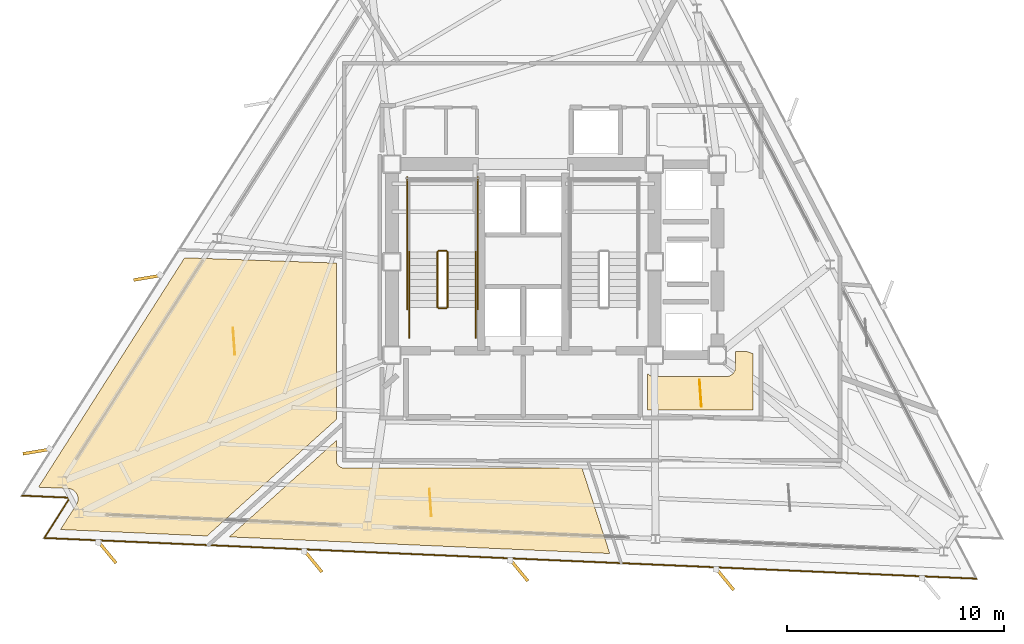
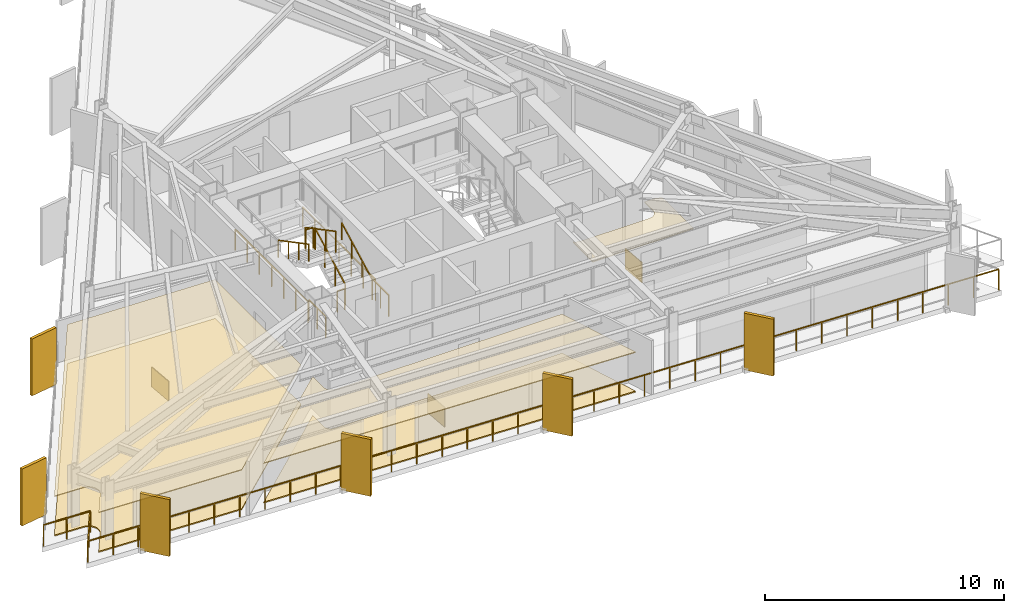
# One storey, part 10 of 12: 11 railings, 8 coverings, 6 shading devices.
"""IFC4 building model written with IfcOpenShell, lengths in metres."""

from ifc_helpers import new_model, si_unit, direction, frame, origin, origin_2d, place, context, subcontext, project, spatial, polyline, rectangle, outline, extrude, material, layer, layer_set, type_object, element, save


model = new_model("IFC4")

# Units and contexts
model_context = context("Model", 3, precision=1e-05, world=origin(), true_north=direction((0.0, 1.0)))
body_context = subcontext(model_context, "Body", "Model", "MODEL_VIEW")
ifc_project = project(units=[si_unit("LENGTHUNIT", "METRE"), si_unit("AREAUNIT", "SQUARE_METRE"), si_unit("VOLUMEUNIT", "CUBIC_METRE"), si_unit("PLANEANGLEUNIT", "RADIAN"), si_unit("MASSUNIT", "GRAM", prefix="KILO")], contexts=[model_context])

# Site, building, storey
site_placement = place(None, origin())
site = spatial("IfcSite", under=ifc_project, at=site_placement, CompositionType="ELEMENT")
building_placement = place(site_placement, origin())
building = spatial("IfcBuilding", under=site, at=building_placement, Name="Rocaltana Carrier Exchange", CompositionType="ELEMENT")
storey_placement = place(building_placement, frame((0.0, 0.0, 135.0400390625)))
storey = spatial("IfcBuildingStorey", under=building, at=storey_placement, Name="L42", CompositionType="ELEMENT", Elevation=135.0400390625)

# Coverings
ifc_material_1 = material(Name="Calcium Sulphate & Aluminium Pedestal", Category="aluminium")
ifc_layer_1 = layer(ifc_material_1, 0.06005859375)
ifc_layer_set_1 = layer_set([ifc_layer_1], Name="Calcium Sulphate & Aluminium Pedestal")
covering_type_1 = type_object("IfcCoveringType", Name="Anti-Static Raised Exchange Access Floor 60", PredefinedType="FLOORING", material=ifc_layer_set_1)
covering_1_placement = place(storey_placement, origin())
element("IfcCovering", 1, at=covering_1_placement, inside=storey, type_object=covering_type_1, Name="L42 Network Engineering Studio Finish Floor", PredefinedType="FLOORING", context=body_context, shape_type="SweptSolid", body=[
    extrude(outline(polyline([(-20.592041015625, -11.18798828125), (-20.584716796875, -11.176025390625), (-20.574951171875, -11.15869140625), (-20.562255859375, -11.1337890625), (-20.55419921875, -11.11572265625), (-20.544189453125, -11.089599609375), (-20.5380859375, -11.07080078125), (-20.530517578125, -11.043701171875), (-20.5263671875, -11.0244140625), (-20.521484375, -10.996826171875), (-20.519287109375, -10.97705078125), (-20.517333984375, -10.94921875), (-20.516845703125, -10.92919921875), (-20.517822265625, -10.9013671875), (-20.519287109375, -10.88134765625), (-20.523193359375, -10.853759765625), (-20.526611328125, -10.833984375), (-20.532958984375, -10.806884765625), (-20.53857421875, -10.787841796875), (-20.547607421875, -10.761474609375), (-20.554931640625, -10.742919921875), (-20.566650390625, -10.717529296875), (-20.575927734375, -10.69970703125), (-20.590087890625, -10.67578125), (-20.600830078125, -10.6591796875), (-20.6171875, -10.636474609375), (-20.6298828125, -10.62109375), (-20.6484375, -10.60009765625), (-20.66259765625, -10.5859375), (-20.68310546875, -10.567138671875), (-20.698486328125, -10.554443359375), (-20.720703125, -10.53759765625), (-20.7373046875, -10.526611328125), (-20.76123046875, -10.51220703125), (-20.77880859375, -10.502685546875), (-20.803955078125, -10.49072265625), (-20.822509765625, -10.483154296875), (-20.8486328125, -10.473876953125), (-20.867919921875, -10.468017578125), (-20.89501953125, -10.461181640625), (-20.91455078125, -10.45751953125), (-20.942138671875, -10.45361328125), (-20.9619140625, -10.45166015625), (-20.975830078125, -10.45068359375), (-22.34326171875, -10.39111328125), (-15.605712890625, 0.184814453125), (-8.610107421875, -0.0595703125), (-8.610107421875, -7.26806640625), (-14.5732421875, -12.63720703125), (-21.327392578125, -12.34228515625), (-20.592041015625, -11.18798828125)])), origin(), (0.0, 0.0, 1.0), 0.06005859375),
])
covering_2_placement = place(storey_placement, origin())
element("IfcCovering", 2, at=covering_2_placement, inside=storey, type_object=covering_type_1, Name="L42 Photonic Integration Workshop Finish Floor", PredefinedType="FLOORING", context=body_context, shape_type="SweptSolid", body=[
    extrude(outline(polyline([(-13.546875, -12.68212890625), (-8.610107421875, -8.23681640625), (-8.610107421875, -9.14990234375), (-8.609619140625, -9.163818359375), (-8.609375, -9.171630859375), (-8.606689453125, -9.198974609375), (-8.60546875, -9.206787109375), (-8.60009765625, -9.233642578125), (-8.59814453125, -9.2412109375), (-8.590087890625, -9.267578125), (-8.58740234375, -9.27490234375), (-8.576904296875, -9.30029296875), (-8.57373046875, -9.307373046875), (-8.560791015625, -9.331787109375), (-8.556640625, -9.33837890625), (-8.54150390625, -9.361083984375), (-8.53662109375, -9.367431640625), (-8.519287109375, -9.388916015625), (-8.513916015625, -9.39453125), (-8.49462890625, -9.4140625), (-8.48876953125, -9.419189453125), (-8.467529296875, -9.436767578125), (-8.461181640625, -9.44140625), (-8.4384765625, -9.456787109375), (-8.431640625, -9.460693359375), (-8.407470703125, -9.4736328125), (-8.400390625, -9.47705078125), (-8.375, -9.487548828125), (-8.36767578125, -9.490234375), (-8.34130859375, -9.498291015625), (-8.33349609375, -9.5), (-8.306640625, -9.50537109375), (-8.298828125, -9.506591796875), (-8.271484375, -9.50927734375), (-8.263671875, -9.509765625), (-8.25, -9.510009765625), (2.71142578125, -9.510009765625), (3.990966796875, -13.44775390625), (-13.546875, -12.68212890625)])), origin(), (0.0, 0.0, 1.0), 0.06005859375),
])
ifc_material_2 = material(Name="Mineral Fibre & Powder-Coated Aluminium", Category="aluminium")
ifc_layer_2 = layer(ifc_material_2, 0.044921875)
ifc_layer_set_2 = layer_set([ifc_layer_2], Name="Mineral Fibre & Powder-Coated Aluminium")
covering_type_2 = type_object("IfcCoveringType", Name="Micro-Perforated Acoustic Ceiling 45", PredefinedType="CEILING", material=ifc_layer_set_2)
covering_3_placement = place(storey_placement, frame((0.0, 0.0, 2.012939453125)))
element("IfcCovering", 3, at=covering_3_placement, inside=storey, type_object=covering_type_2, Name="L42 Network Engineering Studio Acoustic Ceiling", PredefinedType="CEILING", context=body_context, shape_type="SweptSolid", body=[
    extrude(outline(polyline([(-20.592041015625, -11.18798828125), (-20.584716796875, -11.176025390625), (-20.574951171875, -11.15869140625), (-20.562255859375, -11.1337890625), (-20.55419921875, -11.11572265625), (-20.544189453125, -11.089599609375), (-20.5380859375, -11.07080078125), (-20.530517578125, -11.043701171875), (-20.5263671875, -11.0244140625), (-20.521484375, -10.996826171875), (-20.519287109375, -10.97705078125), (-20.517333984375, -10.94921875), (-20.516845703125, -10.92919921875), (-20.517822265625, -10.9013671875), (-20.519287109375, -10.88134765625), (-20.523193359375, -10.853759765625), (-20.526611328125, -10.833984375), (-20.532958984375, -10.806884765625), (-20.53857421875, -10.787841796875), (-20.547607421875, -10.761474609375), (-20.554931640625, -10.742919921875), (-20.566650390625, -10.717529296875), (-20.575927734375, -10.69970703125), (-20.590087890625, -10.67578125), (-20.600830078125, -10.6591796875), (-20.6171875, -10.636474609375), (-20.6298828125, -10.62109375), (-20.6484375, -10.60009765625), (-20.66259765625, -10.5859375), (-20.68310546875, -10.567138671875), (-20.698486328125, -10.554443359375), (-20.720703125, -10.53759765625), (-20.7373046875, -10.526611328125), (-20.76123046875, -10.51220703125), (-20.77880859375, -10.502685546875), (-20.803955078125, -10.49072265625), (-20.822509765625, -10.483154296875), (-20.8486328125, -10.473876953125), (-20.867919921875, -10.468017578125), (-20.89501953125, -10.461181640625), (-20.91455078125, -10.45751953125), (-20.942138671875, -10.45361328125), (-20.9619140625, -10.45166015625), (-20.975830078125, -10.45068359375), (-22.34326171875, -10.39111328125), (-15.605712890625, 0.184814453125), (-8.610107421875, -0.0595703125), (-8.610107421875, -7.26806640625), (-14.5732421875, -12.63720703125), (-21.327392578125, -12.34228515625), (-20.592041015625, -11.18798828125)])), origin(), (0.0, 0.0, 1.0), 0.044921875),
])
covering_4_placement = place(storey_placement, frame((0.0, 0.0, 2.012939453125)))
element("IfcCovering", 4, at=covering_4_placement, inside=storey, type_object=covering_type_2, Name="L42 Photonic Integration Workshop Acoustic Ceiling", PredefinedType="CEILING", context=body_context, shape_type="SweptSolid", body=[
    extrude(outline(polyline([(-13.546875, -12.68212890625), (-8.610107421875, -8.23681640625), (-8.610107421875, -9.14990234375), (-8.609619140625, -9.163818359375), (-8.609375, -9.171630859375), (-8.606689453125, -9.198974609375), (-8.60546875, -9.206787109375), (-8.60009765625, -9.233642578125), (-8.59814453125, -9.2412109375), (-8.590087890625, -9.267578125), (-8.58740234375, -9.27490234375), (-8.576904296875, -9.30029296875), (-8.57373046875, -9.307373046875), (-8.560791015625, -9.331787109375), (-8.556640625, -9.33837890625), (-8.54150390625, -9.361083984375), (-8.53662109375, -9.367431640625), (-8.519287109375, -9.388916015625), (-8.513916015625, -9.39453125), (-8.49462890625, -9.4140625), (-8.48876953125, -9.419189453125), (-8.467529296875, -9.436767578125), (-8.461181640625, -9.44140625), (-8.4384765625, -9.456787109375), (-8.431640625, -9.460693359375), (-8.407470703125, -9.4736328125), (-8.400390625, -9.47705078125), (-8.375, -9.487548828125), (-8.36767578125, -9.490234375), (-8.34130859375, -9.498291015625), (-8.33349609375, -9.5), (-8.306640625, -9.50537109375), (-8.298828125, -9.506591796875), (-8.271484375, -9.50927734375), (-8.263671875, -9.509765625), (-8.25, -9.510009765625), (2.71142578125, -9.510009765625), (3.990966796875, -13.44775390625), (-13.546875, -12.68212890625)])), origin(), (0.0, 0.0, 1.0), 0.044921875),
])
covering_5_placement = place(storey_placement, frame((0.0, 0.0, 2.012939453125)))
element("IfcCovering", 5, at=covering_5_placement, inside=storey, type_object=covering_type_2, Name="L42 Peering Conference Room Acoustic Ceiling", PredefinedType="CEILING", context=body_context, shape_type="SweptSolid", body=[
    extrude(outline(polyline([(5.739990234375, -6.840087890625), (5.739990234375, -5.161865234375), (5.748779296875, -5.170654296875), (5.760498046875, -5.18115234375), (5.78173828125, -5.198486328125), (5.794189453125, -5.2080078125), (5.817138671875, -5.22314453125), (5.83056640625, -5.231201171875), (5.85498046875, -5.244140625), (5.869140625, -5.2509765625), (5.894287109375, -5.261474609375), (5.9091796875, -5.2666015625), (5.935546875, -5.274658203125), (5.95068359375, -5.278564453125), (5.977783203125, -5.283935546875), (5.9931640625, -5.2861328125), (6.0205078125, -5.288818359375), (6.036376953125, -5.289794921875), (6.050048828125, -5.2900390625), (9.35009765625, -5.2900390625), (9.36376953125, -5.289794921875), (9.37939453125, -5.288818359375), (9.40673828125, -5.2861328125), (9.42236328125, -5.283935546875), (9.44921875, -5.278564453125), (9.464599609375, -5.274658203125), (9.49072265625, -5.2666015625), (9.505615234375, -5.261474609375), (9.531005859375, -5.2509765625), (9.545166015625, -5.244140625), (9.5693359375, -5.231201171875), (9.582763671875, -5.22314453125), (9.605712890625, -5.2080078125), (9.618408203125, -5.198486328125), (9.639404296875, -5.18115234375), (9.651123046875, -5.170654296875), (9.670654296875, -5.151123046875), (9.68115234375, -5.139404296875), (9.698486328125, -5.118408203125), (9.7080078125, -5.105712890625), (9.72314453125, -5.082763671875), (9.731201171875, -5.0693359375), (9.744140625, -5.045166015625), (9.7509765625, -5.031005859375), (9.761474609375, -5.005615234375), (9.7666015625, -4.99072265625), (9.774658203125, -4.964599609375), (9.778564453125, -4.94921875), (9.783935546875, -4.92236328125), (9.7861328125, -4.90673828125), (9.788818359375, -4.87939453125), (9.789794921875, -4.86376953125), (9.7900390625, -4.85009765625), (9.7900390625, -4.139892578125), (10.322021484375, -4.139892578125), (10.60009765625, -4.2412109375), (10.60009765625, -6.840087890625), (5.739990234375, -6.840087890625)])), origin(), (0.0, 0.0, 1.0), 0.044921875),
])

# Railings
ifc_material_3 = material(Name="Brushed Architectural Stainless Tube", Category="steel")
ifc_layer_3 = layer(ifc_material_3, 0.048095703125)
ifc_layer_set_3 = layer_set([ifc_layer_3], Name="Brushed Architectural Stainless Tube")
railing_type_1 = type_object("IfcRailingType", Name="Stair Wall Handrail 920", PredefinedType="HANDRAIL", material=ifc_layer_set_3)
railing_1_placement = place(storey_placement, frame((-2.18994140625, -2.10009765625, 0.1689453125)))
element("IfcRailing", 6, at=railing_1_placement, inside=storey, type_object=railing_type_1, Name="L42 ST-1 stair handrail 1", PredefinedType="HANDRAIL", context=body_context, shape_type="SweptSolid", body=[
    extrude(rectangle(XDim=0.048095703125, YDim=0.048095703125, at=origin_2d()), frame((0.0, 0.0, 0.8759765625), z_axis=(0.0, 0.884394423565, 0.466740295633), x_axis=(-1.0, 0.0, 0.0)), (0.0, 0.0, 1.0), 2.894775390625),
    extrude(rectangle(XDim=0.0419921875, YDim=0.0419921875, at=origin_2d()), origin(), (0.0, 0.0, 1.0), 0.851806640625),
    extrude(rectangle(XDim=0.0419921875, YDim=0.0419921875, at=origin_2d()), frame((0.0, 0.853271484375, 0.450439453125)), (0.0, 0.0, 1.0), 0.851806640625),
    extrude(rectangle(XDim=0.0419921875, YDim=0.0419921875, at=origin_2d()), frame((0.0, 1.706787109375, 0.900634765625)), (0.0, 0.0, 1.0), 0.851806640625),
    extrude(rectangle(XDim=0.0419921875, YDim=0.0419921875, at=origin_2d()), frame((0.0, 2.56005859375, 1.35107421875)), (0.0, 0.0, 1.0), 0.851806640625),
])
railing_2_placement = place(storey_placement, frame((-5.25, 0.4599609375, 1.68896484375)))
element("IfcRailing", 7, at=railing_2_placement, inside=storey, type_object=railing_type_1, Name="L42 ST-1 stair handrail 2", PredefinedType="HANDRAIL", context=body_context, shape_type="SweptSolid", body=[
    extrude(rectangle(XDim=0.048095703125, YDim=0.048095703125, at=origin_2d()), frame((0.0, 0.0, 0.8759765625), z_axis=(0.0, -0.884394423565, 0.466740295633), x_axis=(1.0, 0.0, 0.0)), (0.0, 0.0, 1.0), 2.894775390625),
    extrude(rectangle(XDim=0.0419921875, YDim=0.0419921875, at=origin_2d()), origin(), (0.0, 0.0, 1.0), 0.851806640625),
    extrude(rectangle(XDim=0.0419921875, YDim=0.0419921875, at=origin_2d()), frame((0.0, -0.853271484375, 0.450439453125)), (0.0, 0.0, 1.0), 0.851806640625),
    extrude(rectangle(XDim=0.0419921875, YDim=0.0419921875, at=origin_2d()), frame((0.0, -1.706787109375, 0.900634765625)), (0.0, 0.0, 1.0), 0.851806640625),
    extrude(rectangle(XDim=0.0419921875, YDim=0.0419921875, at=origin_2d()), frame((0.0, -2.56005859375, 1.35107421875)), (0.0, 0.0, 1.0), 0.851806640625),
])
ifc_material_4 = material(Name="Powder-Coated Aluminium 6063-T6", Category="aluminium")
ifc_layer_4 = layer(ifc_material_4, 0.048095703125)
ifc_layer_set_4 = layer_set([ifc_layer_4], Name="Powder-Coated Aluminium 6063-T6")
railing_type_2 = type_object("IfcRailingType", Name="Stair Well Guardrail 1100", PredefinedType="GUARDRAIL", material=ifc_layer_set_4)
railing_3_placement = place(storey_placement, frame((-3.489990234375, -2.10009765625, 0.1689453125)))
element("IfcRailing", 8, at=railing_3_placement, inside=storey, type_object=railing_type_2, Name="L42 ST-1 stair guard 1", PredefinedType="GUARDRAIL", context=body_context, shape_type="SweptSolid", body=[
    extrude(rectangle(XDim=0.048095703125, YDim=0.048095703125, at=origin_2d()), frame((0.0, 0.0, 1.076171875), z_axis=(0.0, 0.884394423565, 0.466740295633), x_axis=(-1.0, 0.0, 0.0)), (0.0, 0.0, 1.0), 2.894775390625),
    extrude(rectangle(XDim=0.0419921875, YDim=0.0419921875, at=origin_2d()), origin(), (0.0, 0.0, 1.0), 1.052001953125),
    extrude(rectangle(XDim=0.0419921875, YDim=0.0419921875, at=origin_2d()), frame((0.0, 0.853271484375, 0.450439453125)), (0.0, 0.0, 1.0), 1.052001953125),
    extrude(rectangle(XDim=0.0419921875, YDim=0.0419921875, at=origin_2d()), frame((0.0, 1.706787109375, 0.900634765625)), (0.0, 0.0, 1.0), 1.052001953125),
    extrude(rectangle(XDim=0.0419921875, YDim=0.0419921875, at=origin_2d()), frame((0.0, 2.56005859375, 1.35107421875)), (0.0, 0.0, 1.0), 1.052001953125),
])
railing_4_placement = place(storey_placement, frame((-3.5400390625, 0.510009765625, 1.52001953125)))
element("IfcRailing", 9, at=railing_4_placement, inside=storey, type_object=railing_type_2, Name="L42 ST-1 stair guard 2", PredefinedType="GUARDRAIL", context=body_context, shape_type="SweptSolid", body=[
    extrude(rectangle(XDim=0.048095703125, YDim=0.048095703125, at=origin_2d()), frame((0.0, 0.0, 1.076171875), z_axis=(-1.0, 0.0, 0.0), x_axis=(0.0, -1.0, 0.0)), (0.0, 0.0, 1.0), 0.35986328125),
    extrude(rectangle(XDim=0.0419921875, YDim=0.0419921875, at=origin_2d()), origin(), (0.0, 0.0, 1.0), 1.052001953125),
    extrude(rectangle(XDim=0.0419921875, YDim=0.0419921875, at=origin_2d()), frame((-0.35986328125, 0.0, 0.0)), (0.0, 0.0, 1.0), 1.052001953125),
])
railing_5_placement = place(storey_placement, frame((-3.949951171875, 0.4599609375, 1.68896484375)))
element("IfcRailing", 10, at=railing_5_placement, inside=storey, type_object=railing_type_2, Name="L42 ST-1 stair guard 6", PredefinedType="GUARDRAIL", context=body_context, shape_type="SweptSolid", body=[
    extrude(rectangle(XDim=0.048095703125, YDim=0.048095703125, at=origin_2d()), frame((0.0, 0.0, 1.076171875), z_axis=(0.0, -0.884394423565, 0.466740295633), x_axis=(1.0, 0.0, 0.0)), (0.0, 0.0, 1.0), 2.894775390625),
    extrude(rectangle(XDim=0.0419921875, YDim=0.0419921875, at=origin_2d()), origin(), (0.0, 0.0, 1.0), 1.052001953125),
    extrude(rectangle(XDim=0.0419921875, YDim=0.0419921875, at=origin_2d()), frame((0.0, -0.853271484375, 0.450439453125)), (0.0, 0.0, 1.0), 1.052001953125),
    extrude(rectangle(XDim=0.0419921875, YDim=0.0419921875, at=origin_2d()), frame((0.0, -1.706787109375, 0.900634765625)), (0.0, 0.0, 1.0), 1.052001953125),
    extrude(rectangle(XDim=0.0419921875, YDim=0.0419921875, at=origin_2d()), frame((0.0, -2.56005859375, 1.35107421875)), (0.0, 0.0, 1.0), 1.052001953125),
])
railing_6_placement = place(storey_placement, frame((-3.5400390625, -2.14990234375, 0.0)))
element("IfcRailing", 11, at=railing_6_placement, inside=storey, type_object=railing_type_2, Name="L42 ST-1 stair guard 7", PredefinedType="GUARDRAIL", context=body_context, shape_type="SweptSolid", body=[
    extrude(rectangle(XDim=0.048095703125, YDim=0.048095703125, at=origin_2d()), frame((0.0, 0.0, 1.076171875), z_axis=(-1.0, 0.0, 0.0), x_axis=(0.0, -1.0, 0.0)), (0.0, 0.0, 1.0), 0.35986328125),
    extrude(rectangle(XDim=0.0419921875, YDim=0.0419921875, at=origin_2d()), origin(), (0.0, 0.0, 1.0), 1.052001953125),
    extrude(rectangle(XDim=0.0419921875, YDim=0.0419921875, at=origin_2d()), frame((-0.35986328125, 0.0, 0.0)), (0.0, 0.0, 1.0), 1.052001953125),
])
for number, where, name in (
    (12, (-2.18994140625, -3.5, 0.0), "L42 ST-1 stair guard 8"),
    (13, (-5.25, -3.5, 0.0), "L42 ST-1 stair guard 9"),
):
    element("IfcRailing", number, at=place(storey_placement, frame(where)), inside=storey, type_object=railing_type_2, Name=name, PredefinedType="GUARDRAIL", context=body_context, shape_type="SweptSolid", body=[
        extrude(rectangle(XDim=0.048095703125, YDim=0.048095703125, at=origin_2d()), frame((0.0, 0.0, 1.076171875), z_axis=(0.0, 1.0, 0.0), x_axis=(-1.0, 0.0, 0.0)), (0.0, 0.0, 1.0), 1.39990234375),
        extrude(rectangle(XDim=0.0419921875, YDim=0.0419921875, at=origin_2d()), origin(), (0.0, 0.0, 1.0), 1.052001953125),
        extrude(rectangle(XDim=0.0419921875, YDim=0.0419921875, at=origin_2d()), frame((0.0, 0.699951171875, 0.0)), (0.0, 0.0, 1.0), 1.052001953125),
        extrude(rectangle(XDim=0.0419921875, YDim=0.0419921875, at=origin_2d()), frame((0.0, 1.39990234375, 0.0)), (0.0, 0.0, 1.0), 1.052001953125),
    ])
for number, where, name in (
    (14, (-2.090087890625, -2.199951171875, 0.0), "L42 ST-1 stair guard 10"),
    (15, (-5.35009765625, -2.199951171875, 0.0), "L42 ST-1 stair guard 11"),
):
    element("IfcRailing", number, at=place(storey_placement, frame(where)), inside=storey, type_object=railing_type_2, Name=name, PredefinedType="GUARDRAIL", context=body_context, shape_type="SweptSolid", body=[
        extrude(rectangle(XDim=0.048095703125, YDim=0.048095703125, at=origin_2d()), frame((0.0, 0.0, 1.076171875), z_axis=(0.0, 1.0, 0.0), x_axis=(-1.0, 0.0, 0.0)), (0.0, 0.0, 1.0), 6.099853515625),
        extrude(rectangle(XDim=0.0419921875, YDim=0.0419921875, at=origin_2d()), origin(), (0.0, 0.0, 1.0), 1.052001953125),
        extrude(rectangle(XDim=0.0419921875, YDim=0.0419921875, at=origin_2d()), frame((0.0, 1.0166015625, 0.0)), (0.0, 0.0, 1.0), 1.052001953125),
        extrude(rectangle(XDim=0.0419921875, YDim=0.0419921875, at=origin_2d()), frame((0.0, 2.033203125, 0.0)), (0.0, 0.0, 1.0), 1.052001953125),
        extrude(rectangle(XDim=0.0419921875, YDim=0.0419921875, at=origin_2d()), frame((0.0, 3.0498046875, 0.0)), (0.0, 0.0, 1.0), 1.052001953125),
        extrude(rectangle(XDim=0.0419921875, YDim=0.0419921875, at=origin_2d()), frame((0.0, 4.066650390625, 0.0)), (0.0, 0.0, 1.0), 1.052001953125),
        extrude(rectangle(XDim=0.0419921875, YDim=0.0419921875, at=origin_2d()), frame((0.0, 5.083251953125, 0.0)), (0.0, 0.0, 1.0), 1.052001953125),
        extrude(rectangle(XDim=0.0419921875, YDim=0.0419921875, at=origin_2d()), frame((0.0, 6.099853515625, 0.0)), (0.0, 0.0, 1.0), 1.052001953125),
    ])

# Coverings
ifc_material_5 = material(Name="Honed Piedra Muneca Sandstone", Category="masonry")
ifc_layer_5 = layer(ifc_material_5, 0.034912109375)
ifc_layer_set_5 = layer_set([ifc_layer_5], Name="Honed Piedra Muneca Sandstone")
covering_type_3 = type_object("IfcCoveringType", Name="Stone Facade Cladding 35", PredefinedType="CLADDING", material=ifc_layer_set_5)
for number, where, z_axis, x_axis, name in (
    (16, (-13.333740234375, -3.663818359375, 0.0), (0.0, 0.0, 1.0), (-0.069756473744, 0.99756405026, 0.0), "L42 Stone Facade Cladding Panel 1"),
    (17, (-4.279296875, -11.09619140625, 0.0), (0.0, 0.0, 1.0), (-0.069756473744, 0.99756405026, 0.0), "L42 Stone Facade Cladding Panel 2"),
    (18, (8.169921875, -6.06494140625, 0.0), (0.0, 0.0, 1.0), (-0.069756473744, 0.99756405026, 0.0), "L42 Stone Facade Cladding Panel 4"),
):
    element("IfcCovering", number, at=place(storey_placement, frame(where, z_axis=z_axis, x_axis=x_axis)), inside=storey, type_object=covering_type_3, Name=name, PredefinedType="CLADDING", context=body_context, shape_type="SweptSolid", body=[
        extrude(rectangle(XDim=1.25, YDim=0.034912109375, at=origin_2d()), origin(), (0.0, 0.0, 1.0), 1.050048828125),
    ])

# Shading devices
ifc_material_6 = material(Name="Honed Bogota Sandstone & Concrete C45/55", Category="masonry")
ifc_layer_6 = layer(ifc_material_6, 0.139892578125)
ifc_layer_set_6 = layer_set([ifc_layer_6], Name="Honed Bogota Sandstone & Concrete C45/55")
shading_device_type = type_object("IfcShadingDeviceType", Name="Vertical Sandstone Shading Fin 1320x140", PredefinedType="USERDEFINED", material=ifc_layer_set_6)
for number, where, z_axis, x_axis, name in (
    (19, (-17.3046875, -0.7314453125, -0.1201171875), (0.0, 0.0, 1.0), (-0.986285601537, -0.165047605861, 0.0), "L42 Sandstone Vertical Fin F2-04"),
    (20, (-22.4091796875, -8.743896484375, -0.1201171875), (0.0, 0.0, 1.0), (-0.986285601537, -0.165047605861, 0.0), "L42 Sandstone Vertical Fin F2-05"),
    (21, (-19.18701171875, -13.37744140625, -0.1201171875), (0.0, 0.0, 1.0), (0.636078220278, -0.771624583388, 0.0), "L42 Sandstone Vertical Fin F3-01"),
    (22, (-9.696044921875, -13.7919921875, -0.1201171875), (0.0, 0.0, 1.0), (0.636078220278, -0.771624583388, 0.0), "L42 Sandstone Vertical Fin F3-02"),
    (23, (-0.205078125, -14.206298828125, -0.1201171875), (0.0, 0.0, 1.0), (0.636078220278, -0.771624583388, 0.0), "L42 Sandstone Vertical Fin F3-03"),
    (24, (9.285888671875, -14.62060546875, -0.1201171875), (0.0, 0.0, 1.0), (0.636078220278, -0.771624583388, 0.0), "L42 Sandstone Vertical Fin F3-04"),
):
    element("IfcShadingDevice", number, at=place(storey_placement, frame(where, z_axis=z_axis, x_axis=x_axis)), inside=storey, type_object=shading_device_type, Name=name, ObjectType="FIN", PredefinedType="USERDEFINED", context=body_context, shape_type="SweptSolid", body=[
        extrude(rectangle(XDim=1.320068359375, YDim=0.139892578125, at=origin_2d()), origin(), (0.0, 0.0, 1.0), 2.907958984375),
    ])

# Railing
ifc_material_7 = material(Name="Powder-Coated Aluminium 6063-T6", Category="aluminium")
ifc_layer_7 = layer(ifc_material_7, 0.06005859375)
ifc_layer_set_7 = layer_set([ifc_layer_7], Name="Powder-Coated Aluminium 6063-T6")
railing_type_3 = type_object("IfcRailingType", Name="Wind-Floor & Terrace Perimeter Guardrail 1100", PredefinedType="GUARDRAIL", material=ifc_layer_set_7)
railing_7_placement = place(storey_placement, frame((20.87890625, -14.60546875, 0.0)))
element("IfcRailing", 25, at=railing_7_placement, inside=storey, type_object=railing_type_3, Name="L42 Perimeter Balcony Guardrail 1", PredefinedType="GUARDRAIL", context=body_context, shape_type="SweptSolid", body=[
    extrude(rectangle(XDim=0.048095703125, YDim=0.048095703125, at=origin_2d()), frame((0.0, 0.0, 1.076171875), z_axis=(-0.999048277514, 0.043618106279, 0.0), x_axis=(-0.043618106279, -0.999048277514, 0.0)), (0.0, 0.0, 1.0), 42.992431640625),
    extrude(rectangle(XDim=0.048095703125, YDim=0.048095703125, at=origin_2d()), frame((-42.951416015625, 1.875244140625, 1.076171875), z_axis=(0.537320606179, 0.843378068351, 0.0), x_axis=(-0.843378068351, 0.537320606179, 0.0)), (0.0, 0.0, 1.0), 2.199951171875),
    extrude(rectangle(XDim=0.048095703125, YDim=0.048095703125, at=origin_2d()), frame((-41.769287109375, 3.730712890625, 1.076171875), z_axis=(-0.999048605837, 0.043610585593, 0.0), x_axis=(-0.043610585593, -0.999048605837, 0.0)), (0.0, 0.0, 1.0), 2.2001953125),
    extrude(rectangle(XDim=0.0419921875, YDim=0.0419921875, at=origin_2d()), origin(), (0.0, 0.0, 1.0), 1.052001953125),
    extrude(rectangle(XDim=0.0419921875, YDim=0.0419921875, at=origin_2d()), frame((-1.193115234375, 0.052001953125, 0.0)), (0.0, 0.0, 1.0), 1.052001953125),
    extrude(rectangle(XDim=0.0419921875, YDim=0.0419921875, at=origin_2d()), frame((-2.38623046875, 0.104248046875, 0.0)), (0.0, 0.0, 1.0), 1.052001953125),
    extrude(rectangle(XDim=0.0419921875, YDim=0.0419921875, at=origin_2d()), frame((-3.579345703125, 0.15625, 0.0)), (0.0, 0.0, 1.0), 1.052001953125),
    extrude(rectangle(XDim=0.0419921875, YDim=0.0419921875, at=origin_2d()), frame((-4.7724609375, 0.208251953125, 0.0)), (0.0, 0.0, 1.0), 1.052001953125),
    extrude(rectangle(XDim=0.0419921875, YDim=0.0419921875, at=origin_2d()), frame((-5.965576171875, 0.260498046875, 0.0)), (0.0, 0.0, 1.0), 1.052001953125),
    extrude(rectangle(XDim=0.0419921875, YDim=0.0419921875, at=origin_2d()), frame((-7.15869140625, 0.3125, 0.0)), (0.0, 0.0, 1.0), 1.052001953125),
    extrude(rectangle(XDim=0.0419921875, YDim=0.0419921875, at=origin_2d()), frame((-8.3515625, 0.36474609375, 0.0)), (0.0, 0.0, 1.0), 1.052001953125),
    extrude(rectangle(XDim=0.0419921875, YDim=0.0419921875, at=origin_2d()), frame((-9.544677734375, 0.416748046875, 0.0)), (0.0, 0.0, 1.0), 1.052001953125),
    extrude(rectangle(XDim=0.0419921875, YDim=0.0419921875, at=origin_2d()), frame((-10.73779296875, 0.46875, 0.0)), (0.0, 0.0, 1.0), 1.052001953125),
    extrude(rectangle(XDim=0.0419921875, YDim=0.0419921875, at=origin_2d()), frame((-11.930908203125, 0.52099609375, 0.0)), (0.0, 0.0, 1.0), 1.052001953125),
    extrude(rectangle(XDim=0.0419921875, YDim=0.0419921875, at=origin_2d()), frame((-13.1240234375, 0.572998046875, 0.0)), (0.0, 0.0, 1.0), 1.052001953125),
    extrude(rectangle(XDim=0.0419921875, YDim=0.0419921875, at=origin_2d()), frame((-14.317138671875, 0.625, 0.0)), (0.0, 0.0, 1.0), 1.052001953125),
    extrude(rectangle(XDim=0.0419921875, YDim=0.0419921875, at=origin_2d()), frame((-15.51025390625, 0.67724609375, 0.0)), (0.0, 0.0, 1.0), 1.052001953125),
    extrude(rectangle(XDim=0.0419921875, YDim=0.0419921875, at=origin_2d()), frame((-16.703369140625, 0.729248046875, 0.0)), (0.0, 0.0, 1.0), 1.052001953125),
    extrude(rectangle(XDim=0.0419921875, YDim=0.0419921875, at=origin_2d()), frame((-17.896484375, 0.78125, 0.0)), (0.0, 0.0, 1.0), 1.052001953125),
    extrude(rectangle(XDim=0.0419921875, YDim=0.0419921875, at=origin_2d()), frame((-19.089599609375, 0.83349609375, 0.0)), (0.0, 0.0, 1.0), 1.052001953125),
    extrude(rectangle(XDim=0.0419921875, YDim=0.0419921875, at=origin_2d()), frame((-20.28271484375, 0.885498046875, 0.0)), (0.0, 0.0, 1.0), 1.052001953125),
    extrude(rectangle(XDim=0.0419921875, YDim=0.0419921875, at=origin_2d()), frame((-21.4755859375, 0.9375, 0.0)), (0.0, 0.0, 1.0), 1.052001953125),
    extrude(rectangle(XDim=0.0419921875, YDim=0.0419921875, at=origin_2d()), frame((-22.668701171875, 0.98974609375, 0.0)), (0.0, 0.0, 1.0), 1.052001953125),
    extrude(rectangle(XDim=0.0419921875, YDim=0.0419921875, at=origin_2d()), frame((-23.86181640625, 1.041748046875, 0.0)), (0.0, 0.0, 1.0), 1.052001953125),
    extrude(rectangle(XDim=0.0419921875, YDim=0.0419921875, at=origin_2d()), frame((-25.054931640625, 1.093994140625, 0.0)), (0.0, 0.0, 1.0), 1.052001953125),
    extrude(rectangle(XDim=0.0419921875, YDim=0.0419921875, at=origin_2d()), frame((-26.248046875, 1.14599609375, 0.0)), (0.0, 0.0, 1.0), 1.052001953125),
    extrude(rectangle(XDim=0.0419921875, YDim=0.0419921875, at=origin_2d()), frame((-27.441162109375, 1.197998046875, 0.0)), (0.0, 0.0, 1.0), 1.052001953125),
    extrude(rectangle(XDim=0.0419921875, YDim=0.0419921875, at=origin_2d()), frame((-28.63427734375, 1.250244140625, 0.0)), (0.0, 0.0, 1.0), 1.052001953125),
    extrude(rectangle(XDim=0.0419921875, YDim=0.0419921875, at=origin_2d()), frame((-29.827392578125, 1.30224609375, 0.0)), (0.0, 0.0, 1.0), 1.052001953125),
    extrude(rectangle(XDim=0.0419921875, YDim=0.0419921875, at=origin_2d()), frame((-31.0205078125, 1.354248046875, 0.0)), (0.0, 0.0, 1.0), 1.052001953125),
    extrude(rectangle(XDim=0.0419921875, YDim=0.0419921875, at=origin_2d()), frame((-32.213623046875, 1.406494140625, 0.0)), (0.0, 0.0, 1.0), 1.052001953125),
    extrude(rectangle(XDim=0.0419921875, YDim=0.0419921875, at=origin_2d()), frame((-33.40673828125, 1.45849609375, 0.0)), (0.0, 0.0, 1.0), 1.052001953125),
    extrude(rectangle(XDim=0.0419921875, YDim=0.0419921875, at=origin_2d()), frame((-34.599853515625, 1.510498046875, 0.0)), (0.0, 0.0, 1.0), 1.052001953125),
    extrude(rectangle(XDim=0.0419921875, YDim=0.0419921875, at=origin_2d()), frame((-35.79296875, 1.562744140625, 0.0)), (0.0, 0.0, 1.0), 1.052001953125),
    extrude(rectangle(XDim=0.0419921875, YDim=0.0419921875, at=origin_2d()), frame((-36.98583984375, 1.61474609375, 0.0)), (0.0, 0.0, 1.0), 1.052001953125),
    extrude(rectangle(XDim=0.0419921875, YDim=0.0419921875, at=origin_2d()), frame((-38.178955078125, 1.6669921875, 0.0)), (0.0, 0.0, 1.0), 1.052001953125),
    extrude(rectangle(XDim=0.0419921875, YDim=0.0419921875, at=origin_2d()), frame((-39.3720703125, 1.718994140625, 0.0)), (0.0, 0.0, 1.0), 1.052001953125),
    extrude(rectangle(XDim=0.0419921875, YDim=0.0419921875, at=origin_2d()), frame((-40.565185546875, 1.77099609375, 0.0)), (0.0, 0.0, 1.0), 1.052001953125),
    extrude(rectangle(XDim=0.0419921875, YDim=0.0419921875, at=origin_2d()), frame((-41.75830078125, 1.8232421875, 0.0)), (0.0, 0.0, 1.0), 1.052001953125),
    extrude(rectangle(XDim=0.0419921875, YDim=0.0419921875, at=origin_2d()), frame((-42.951416015625, 1.875244140625, 0.0)), (0.0, 0.0, 1.0), 1.052001953125),
    extrude(rectangle(XDim=0.0419921875, YDim=0.0419921875, at=origin_2d()), frame((-42.3603515625, 2.802978515625, 0.0)), (0.0, 0.0, 1.0), 1.052001953125),
    extrude(rectangle(XDim=0.0419921875, YDim=0.0419921875, at=origin_2d()), frame((-41.769287109375, 3.730712890625, 0.0)), (0.0, 0.0, 1.0), 1.052001953125),
    extrude(rectangle(XDim=0.0419921875, YDim=0.0419921875, at=origin_2d()), frame((-42.8681640625, 3.77880859375, 0.0)), (0.0, 0.0, 1.0), 1.052001953125),
    extrude(rectangle(XDim=0.0419921875, YDim=0.0419921875, at=origin_2d()), frame((-43.96728515625, 3.82666015625, 0.0)), (0.0, 0.0, 1.0), 1.052001953125),
])

save(model, "model.ifc")
